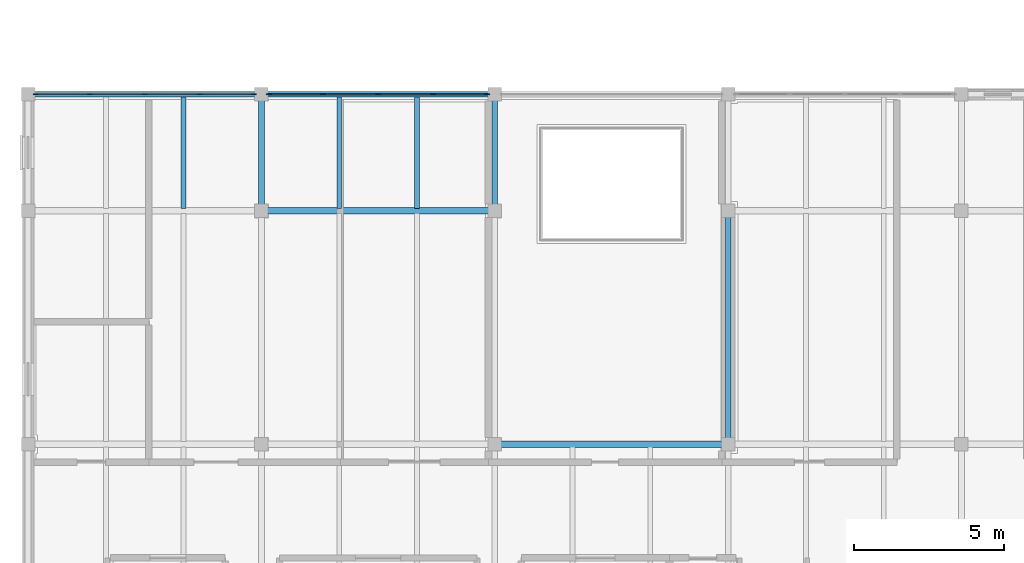
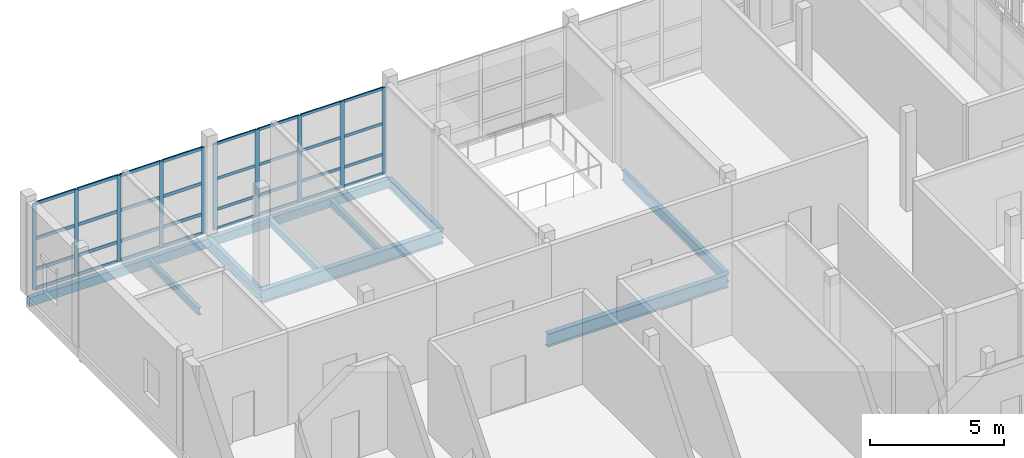
# One storey, part 28 of 119: 42 members, 10 beams, 2 elements without a shape of their own.
"""IFC4 building model written with IfcOpenShell, lengths in metres."""

from ifc_helpers import new_model, si_unit, direction, frame, origin, origin_2d, place, context, subcontext, project, spatial, rectangle, hollow_rectangle, i_section, extrude, material, layer, layer_set, material_profile, profile_set, type_object, element, aggregate, save


model = new_model("IFC4")

# Units and contexts
model_context = context("Model", 3, precision=1e-05, world=origin(), true_north=direction((0.0, 1.0)))
body_context = subcontext(model_context, "Body", "Model", "MODEL_VIEW")
ifc_project = project(units=[si_unit("LENGTHUNIT", "METRE"), si_unit("AREAUNIT", "SQUARE_METRE"), si_unit("VOLUMEUNIT", "CUBIC_METRE"), si_unit("PLANEANGLEUNIT", "RADIAN"), si_unit("MASSUNIT", "GRAM", prefix="KILO")], contexts=[model_context])

# Site, building, storey
site_placement = place(None, origin())
site = spatial("IfcSite", under=ifc_project, at=site_placement, CompositionType="ELEMENT")
building_placement = place(site_placement, origin())
building = spatial("IfcBuilding", under=site, at=building_placement, Name="Celorna Specialist Clinic", CompositionType="ELEMENT")
storey_placement = place(building_placement, frame((0.0, 0.0, 9.60009765625)))
storey = spatial("IfcBuildingStorey", under=building, at=storey_placement, Name="L02", CompositionType="ELEMENT", Elevation=9.60009765625)

# Beams
ifc_material_1 = material(Name="Steel S355", Category="steel")
ifc_material_profile_1 = material_profile(ifc_material_1, i_section(OverallWidth=0.219970703125, OverallDepth=0.60009765625, WebThickness=0.011962890625, FlangeThickness=0.01904296875, at=origin_2d()), Name="IPE 600")
ifc_profile_set_1 = profile_set([ifc_material_profile_1], Name="Steel S355")
beam_type_1 = type_object("IfcBeamType", Name="BM-06", PredefinedType="BEAM", material=ifc_profile_set_1)
beam_1_placement = place(storey_placement, frame((15.60009765625, 50.699951171875, -0.56005859375), z_axis=(1.0, 0.0, 0.0), x_axis=(0.0, 1.0, 0.0)))
element("IfcBeam", 1, at=beam_1_placement, inside=storey, type_object=beam_type_1, Name="Primary girder BM-06 #466", PredefinedType="BEAM", context=body_context, shape_type="SweptSolid", body=[
    extrude(i_section(OverallWidth=0.219970703125, OverallDepth=0.60009765625, WebThickness=0.011962890625, FlangeThickness=0.01904296875, at=origin_2d()), origin(), (0.0, 0.0, 1.0), 7.7998046875),
])
beam_2_placement = place(storey_placement, frame((7.800048828125, 58.5, -0.56005859375), z_axis=(1.0, 0.0, 0.0), x_axis=(0.0, 1.0, 0.0)))
element("IfcBeam", 2, at=beam_2_placement, inside=storey, type_object=beam_type_1, Name="Primary girder BM-06 #470", PredefinedType="BEAM", context=body_context, shape_type="SweptSolid", body=[
    extrude(i_section(OverallWidth=0.219970703125, OverallDepth=0.60009765625, WebThickness=0.011962890625, FlangeThickness=0.01904296875, at=origin_2d()), origin(), (0.0, 0.0, 1.0), 7.800048828125),
])
ifc_material_profile_2 = material_profile(ifc_material_1, i_section(OverallWidth=0.18994140625, OverallDepth=0.449951171875, WebThickness=0.009521484375, FlangeThickness=0.0146484375, at=origin_2d()), Name="IPE 450")
ifc_profile_set_2 = profile_set([ifc_material_profile_2], Name="Steel S355")
beam_type_2 = type_object("IfcBeamType", Name="BM-09", PredefinedType="BEAM", material=ifc_profile_set_2)
for number, where, z_axis, x_axis, name in (
    (3, (7.800048828125, 58.5, -0.485107421875), (0.0, 1.0, 0.0), (-1.0, 0.0, 0.0), "Transverse girder BM-09 #485"),
    (4, (15.60009765625, 58.5, -0.485107421875), (0.0, 1.0, 0.0), (-1.0, 0.0, 0.0), "Transverse girder BM-09 #489"),
):
    element("IfcBeam", number, at=place(storey_placement, frame(where, z_axis=z_axis, x_axis=x_axis)), inside=storey, type_object=beam_type_2, Name=name, PredefinedType="BEAM", context=body_context, shape_type="SweptSolid", body=[
        extrude(i_section(OverallWidth=0.18994140625, OverallDepth=0.449951171875, WebThickness=0.009521484375, FlangeThickness=0.0146484375, at=origin_2d()), origin(), (0.0, 0.0, 1.0), 3.89990234375),
    ])
beam_3_placement = place(storey_placement, frame((23.39990234375, 50.699951171875, -0.485107421875), z_axis=(0.0, 1.0, 0.0), x_axis=(-1.0, 0.0, 0.0)))
element("IfcBeam", 5, at=beam_3_placement, inside=storey, type_object=beam_type_2, Name="Transverse girder BM-09 #492", PredefinedType="BEAM", context=body_context, shape_type="SweptSolid", body=[
    extrude(i_section(OverallWidth=0.18994140625, OverallDepth=0.449951171875, WebThickness=0.009521484375, FlangeThickness=0.0146484375, at=origin_2d()), origin(), (0.0, 0.0, 1.0), 7.800048828125),
])
ifc_material_profile_3 = material_profile(ifc_material_1, i_section(OverallWidth=0.159912109375, OverallDepth=0.330078125, WebThickness=0.007568359375, FlangeThickness=0.011474609375, at=origin_2d()), Name="IPE 330")
ifc_profile_set_3 = profile_set([ifc_material_profile_3], Name="Steel S355")
beam_type_3 = type_object("IfcBeamType", Name="BM-12", PredefinedType="JOIST", material=ifc_profile_set_3)
for number, where, z_axis, x_axis, name in (
    (6, (5.199951171875, 58.587890625, -0.425048828125), (0.0, 1.0, 0.0), (-1.0, 0.0, 0.0), "Secondary floor joist BM-12 #507"),
    (7, (10.39990234375, 58.587890625, -0.425048828125), (0.0, 1.0, 0.0), (-1.0, 0.0, 0.0), "Secondary floor joist BM-12 #514"),
    (8, (13.0, 58.587890625, -0.425048828125), (0.0, 1.0, 0.0), (-1.0, 0.0, 0.0), "Secondary floor joist BM-12 #515"),
):
    element("IfcBeam", number, at=place(storey_placement, frame(where, z_axis=z_axis, x_axis=x_axis)), inside=storey, type_object=beam_type_3, Name=name, PredefinedType="JOIST", context=body_context, shape_type="SweptSolid", body=[
        extrude(i_section(OverallWidth=0.159912109375, OverallDepth=0.330078125, WebThickness=0.007568359375, FlangeThickness=0.011474609375, at=origin_2d()), origin(), (0.0, 0.0, 1.0), 3.72412109375),
    ])
ifc_material_profile_4 = material_profile(ifc_material_1, hollow_rectangle(XDim=0.199951171875, YDim=0.39990234375, WallThickness=0.011962890625, at=origin_2d()), Name="RHS 200x400x12")
ifc_profile_set_4 = profile_set([ifc_material_profile_4], Name="Steel S355")
beam_type_4 = type_object("IfcBeamType", Name="BM-15", PredefinedType="SPANDREL", material=ifc_profile_set_4)
for number, where, z_axis, x_axis, name in (
    (9, (0.0, 62.39990234375, -0.460205078125), (1.0, 0.0, 0.0), (0.0, 1.0, 0.0), "Spandrel beam BM-15 #473"),
    (10, (7.800048828125, 62.39990234375, -0.460205078125), (1.0, 0.0, 0.0), (0.0, 1.0, 0.0), "Spandrel beam BM-15 #474"),
):
    element("IfcBeam", number, at=place(storey_placement, frame(where, z_axis=z_axis, x_axis=x_axis)), inside=storey, type_object=beam_type_4, Name=name, PredefinedType="SPANDREL", context=body_context, shape_type="SweptSolid", body=[
        extrude(hollow_rectangle(XDim=0.199951171875, YDim=0.39990234375, WallThickness=0.011962890625, at=origin_2d()), origin(), (0.0, 0.0, 1.0), 7.800048828125),
    ])

# Curtain wall, members
ifc_material_2 = material(Name="Thermally broken aluminium and solar-control glass curtain wall", Category="aluminium")
ifc_layer_1 = layer(ifc_material_2, 0.159912109375, Name="Thermally broken aluminium and solar-control glass curtain wall")
ifc_layer_set_1 = layer_set([ifc_layer_1], Name="Thermally broken aluminium and solar-control glass curtain wall")
curtain_wall_type_1 = type_object("IfcCurtainWallType", Name="CW-28", PredefinedType="NOTDEFINED", material=ifc_layer_set_1)
curtain_wall_1_placement = place(storey_placement, origin())
curtain_wall_1 = element("IfcCurtainWall", 11, at=curtain_wall_1_placement, inside=storey, type_object=curtain_wall_type_1, Name="Curtain wall CW-28 #57", PredefinedType="NOTDEFINED")
ifc_material_3 = material(Name="Anodized aluminium mullion", Category="aluminium")
ifc_material_profile_5 = material_profile(ifc_material_3, rectangle(XDim=0.050048828125, YDim=0.159912109375, at=origin_2d()), Name="ALU MULLION 50x160")
ifc_profile_set_5 = profile_set([ifc_material_profile_5], Name="Anodized aluminium mullion")
member_type_1 = type_object("IfcMemberType", Name="ML-01", PredefinedType="MULLION", material=ifc_profile_set_5)
member_1_placement = place(storey_placement, frame((0.25390625, 62.39990234375, 0.0), z_axis=(0.0, 0.0, 1.0), x_axis=(0.0, 1.0, 0.0)))
member_1 = element("IfcMember", 12, at=member_1_placement, type_object=member_type_1, Name="CW-28 mullion 1", PredefinedType="MULLION", context=body_context, shape_type="SweptSolid", body=[
    extrude(rectangle(XDim=0.050048828125, YDim=0.159912109375, at=origin_2d()), origin(), (0.0, 0.0, 1.0), 3.9248046875),
])
member_2_placement = place(storey_placement, frame((2.064453125, 62.39990234375, 0.0), z_axis=(0.0, 0.0, 1.0), x_axis=(0.0, 1.0, 0.0)))
member_2 = element("IfcMember", 13, at=member_2_placement, type_object=member_type_1, Name="CW-28 mullion 2", PredefinedType="MULLION", context=body_context, shape_type="SweptSolid", body=[
    extrude(rectangle(XDim=0.050048828125, YDim=0.159912109375, at=origin_2d()), origin(), (0.0, 0.0, 1.0), 3.9248046875),
])
member_3_placement = place(storey_placement, frame((3.89990234375, 62.39990234375, 0.0), z_axis=(0.0, 0.0, 1.0), x_axis=(0.0, 1.0, 0.0)))
member_3 = element("IfcMember", 14, at=member_3_placement, type_object=member_type_1, Name="CW-28 mullion 3", PredefinedType="MULLION", context=body_context, shape_type="SweptSolid", body=[
    extrude(rectangle(XDim=0.050048828125, YDim=0.159912109375, at=origin_2d()), origin(), (0.0, 0.0, 1.0), 3.9248046875),
])
member_4_placement = place(storey_placement, frame((5.735595703125, 62.39990234375, 0.0), z_axis=(0.0, 0.0, 1.0), x_axis=(0.0, 1.0, 0.0)))
member_4 = element("IfcMember", 15, at=member_4_placement, type_object=member_type_1, Name="CW-28 mullion 4", PredefinedType="MULLION", context=body_context, shape_type="SweptSolid", body=[
    extrude(rectangle(XDim=0.050048828125, YDim=0.159912109375, at=origin_2d()), origin(), (0.0, 0.0, 1.0), 3.9248046875),
])
member_5_placement = place(storey_placement, frame((7.5458984375, 62.39990234375, 0.0), z_axis=(0.0, 0.0, 1.0), x_axis=(0.0, 1.0, 0.0)))
member_5 = element("IfcMember", 16, at=member_5_placement, type_object=member_type_1, Name="CW-28 mullion 5", PredefinedType="MULLION", context=body_context, shape_type="SweptSolid", body=[
    extrude(rectangle(XDim=0.050048828125, YDim=0.159912109375, at=origin_2d()), origin(), (0.0, 0.0, 1.0), 3.9248046875),
])

ifc_layer_2 = layer(ifc_material_2, 0.159912109375, Name="Thermally broken aluminium and solar-control glass curtain wall")
ifc_layer_set_2 = layer_set([ifc_layer_2], Name="Thermally broken aluminium and solar-control glass curtain wall")
curtain_wall_type_2 = type_object("IfcCurtainWallType", Name="CW-29", PredefinedType="NOTDEFINED", material=ifc_layer_set_2)
curtain_wall_2_placement = place(storey_placement, origin())
curtain_wall_2 = element("IfcCurtainWall", 17, at=curtain_wall_2_placement, inside=storey, type_object=curtain_wall_type_2, Name="Curtain wall CW-29 #58", PredefinedType="NOTDEFINED")
ifc_material_profile_6 = material_profile(ifc_material_3, rectangle(XDim=0.050048828125, YDim=0.179931640625, at=origin_2d()), Name="ALU MULLION 50x180")
ifc_profile_set_6 = profile_set([ifc_material_profile_6], Name="Anodized aluminium mullion")
member_type_2 = type_object("IfcMemberType", Name="ML-02", PredefinedType="MULLION", material=ifc_profile_set_6)
member_6_placement = place(storey_placement, frame((8.053955078125, 62.39990234375, 0.0), z_axis=(0.0, 0.0, 1.0), x_axis=(0.0, 1.0, 0.0)))
member_6 = element("IfcMember", 18, at=member_6_placement, type_object=member_type_2, Name="CW-29 mullion 1", PredefinedType="MULLION", context=body_context, shape_type="SweptSolid", body=[
    extrude(rectangle(XDim=0.050048828125, YDim=0.179931640625, at=origin_2d()), origin(), (0.0, 0.0, 1.0), 3.9248046875),
])
member_7_placement = place(storey_placement, frame((9.864501953125, 62.39990234375, 0.0), z_axis=(0.0, 0.0, 1.0), x_axis=(0.0, 1.0, 0.0)))
member_7 = element("IfcMember", 19, at=member_7_placement, type_object=member_type_2, Name="CW-29 mullion 2", PredefinedType="MULLION", context=body_context, shape_type="SweptSolid", body=[
    extrude(rectangle(XDim=0.050048828125, YDim=0.179931640625, at=origin_2d()), origin(), (0.0, 0.0, 1.0), 3.9248046875),
])
member_8_placement = place(storey_placement, frame((11.699951171875, 62.39990234375, 0.0), z_axis=(0.0, 0.0, 1.0), x_axis=(0.0, 1.0, 0.0)))
member_8 = element("IfcMember", 20, at=member_8_placement, type_object=member_type_2, Name="CW-29 mullion 3", PredefinedType="MULLION", context=body_context, shape_type="SweptSolid", body=[
    extrude(rectangle(XDim=0.050048828125, YDim=0.179931640625, at=origin_2d()), origin(), (0.0, 0.0, 1.0), 3.9248046875),
])
member_9_placement = place(storey_placement, frame((13.535400390625, 62.39990234375, 0.0), z_axis=(0.0, 0.0, 1.0), x_axis=(0.0, 1.0, 0.0)))
member_9 = element("IfcMember", 21, at=member_9_placement, type_object=member_type_2, Name="CW-29 mullion 4", PredefinedType="MULLION", context=body_context, shape_type="SweptSolid", body=[
    extrude(rectangle(XDim=0.050048828125, YDim=0.179931640625, at=origin_2d()), origin(), (0.0, 0.0, 1.0), 3.9248046875),
])
member_10_placement = place(storey_placement, frame((15.345947265625, 62.39990234375, 0.0), z_axis=(0.0, 0.0, 1.0), x_axis=(0.0, 1.0, 0.0)))
member_10 = element("IfcMember", 22, at=member_10_placement, type_object=member_type_2, Name="CW-29 mullion 5", PredefinedType="MULLION", context=body_context, shape_type="SweptSolid", body=[
    extrude(rectangle(XDim=0.050048828125, YDim=0.179931640625, at=origin_2d()), origin(), (0.0, 0.0, 1.0), 3.9248046875),
])
ifc_material_4 = material(Name="Anodized aluminium transom", Category="aluminium")
ifc_material_profile_7 = material_profile(ifc_material_4, rectangle(XDim=0.050048828125, YDim=0.1298828125, at=origin_2d()), Name="ALU TRANSOM 50x130")
ifc_profile_set_7 = profile_set([ifc_material_profile_7], Name="Anodized aluminium transom")
member_type_3 = type_object("IfcMemberType", Name="TR-01", PredefinedType="USERDEFINED", material=ifc_profile_set_7)
member_11_placement = place(storey_placement, frame((8.0791015625, 62.39990234375, 0.02490234375), z_axis=(1.0, 0.0, 0.0), x_axis=(0.0, 1.0, 0.0)))
member_11 = element("IfcMember", 23, at=member_11_placement, type_object=member_type_3, Name="CW-29 transom 1.1", ObjectType="TRANSOM", PredefinedType="USERDEFINED", context=body_context, shape_type="SweptSolid", body=[
    extrude(rectangle(XDim=0.050048828125, YDim=0.1298828125, at=origin_2d()), origin(), (0.0, 0.0, 1.0), 1.760498046875),
])
member_12_placement = place(storey_placement, frame((8.0791015625, 62.39990234375, 0.89990234375), z_axis=(1.0, 0.0, 0.0), x_axis=(0.0, 1.0, 0.0)))
member_12 = element("IfcMember", 24, at=member_12_placement, type_object=member_type_3, Name="CW-29 transom 1.2", ObjectType="TRANSOM", PredefinedType="USERDEFINED", context=body_context, shape_type="SweptSolid", body=[
    extrude(rectangle(XDim=0.050048828125, YDim=0.1298828125, at=origin_2d()), origin(), (0.0, 0.0, 1.0), 1.760498046875),
])
member_13_placement = place(storey_placement, frame((8.0791015625, 62.39990234375, 2.2998046875), z_axis=(1.0, 0.0, 0.0), x_axis=(0.0, 1.0, 0.0)))
member_13 = element("IfcMember", 25, at=member_13_placement, type_object=member_type_3, Name="CW-29 transom 1.3", ObjectType="TRANSOM", PredefinedType="USERDEFINED", context=body_context, shape_type="SweptSolid", body=[
    extrude(rectangle(XDim=0.050048828125, YDim=0.1298828125, at=origin_2d()), origin(), (0.0, 0.0, 1.0), 1.760498046875),
])
member_14_placement = place(storey_placement, frame((8.0791015625, 62.39990234375, 3.89990234375), z_axis=(1.0, 0.0, 0.0), x_axis=(0.0, 1.0, 0.0)))
member_14 = element("IfcMember", 26, at=member_14_placement, type_object=member_type_3, Name="CW-29 transom 1.4", ObjectType="TRANSOM", PredefinedType="USERDEFINED", context=body_context, shape_type="SweptSolid", body=[
    extrude(rectangle(XDim=0.050048828125, YDim=0.1298828125, at=origin_2d()), origin(), (0.0, 0.0, 1.0), 1.760498046875),
])
member_15_placement = place(storey_placement, frame((9.889404296875, 62.39990234375, 0.02490234375), z_axis=(1.0, 0.0, 0.0), x_axis=(0.0, 1.0, 0.0)))
member_15 = element("IfcMember", 27, at=member_15_placement, type_object=member_type_3, Name="CW-29 transom 2.1", ObjectType="TRANSOM", PredefinedType="USERDEFINED", context=body_context, shape_type="SweptSolid", body=[
    extrude(rectangle(XDim=0.050048828125, YDim=0.1298828125, at=origin_2d()), origin(), (0.0, 0.0, 1.0), 1.78564453125),
])
member_16_placement = place(storey_placement, frame((9.889404296875, 62.39990234375, 0.89990234375), z_axis=(1.0, 0.0, 0.0), x_axis=(0.0, 1.0, 0.0)))
member_16 = element("IfcMember", 28, at=member_16_placement, type_object=member_type_3, Name="CW-29 transom 2.2", ObjectType="TRANSOM", PredefinedType="USERDEFINED", context=body_context, shape_type="SweptSolid", body=[
    extrude(rectangle(XDim=0.050048828125, YDim=0.1298828125, at=origin_2d()), origin(), (0.0, 0.0, 1.0), 1.78564453125),
])
member_17_placement = place(storey_placement, frame((9.889404296875, 62.39990234375, 2.2998046875), z_axis=(1.0, 0.0, 0.0), x_axis=(0.0, 1.0, 0.0)))
member_17 = element("IfcMember", 29, at=member_17_placement, type_object=member_type_3, Name="CW-29 transom 2.3", ObjectType="TRANSOM", PredefinedType="USERDEFINED", context=body_context, shape_type="SweptSolid", body=[
    extrude(rectangle(XDim=0.050048828125, YDim=0.1298828125, at=origin_2d()), origin(), (0.0, 0.0, 1.0), 1.78564453125),
])
member_18_placement = place(storey_placement, frame((9.889404296875, 62.39990234375, 3.89990234375), z_axis=(1.0, 0.0, 0.0), x_axis=(0.0, 1.0, 0.0)))
member_18 = element("IfcMember", 30, at=member_18_placement, type_object=member_type_3, Name="CW-29 transom 2.4", ObjectType="TRANSOM", PredefinedType="USERDEFINED", context=body_context, shape_type="SweptSolid", body=[
    extrude(rectangle(XDim=0.050048828125, YDim=0.1298828125, at=origin_2d()), origin(), (0.0, 0.0, 1.0), 1.78564453125),
])
member_19_placement = place(storey_placement, frame((11.72509765625, 62.39990234375, 0.02490234375), z_axis=(1.0, 0.0, 0.0), x_axis=(0.0, 1.0, 0.0)))
member_19 = element("IfcMember", 31, at=member_19_placement, type_object=member_type_3, Name="CW-29 transom 3.1", ObjectType="TRANSOM", PredefinedType="USERDEFINED", context=body_context, shape_type="SweptSolid", body=[
    extrude(rectangle(XDim=0.050048828125, YDim=0.1298828125, at=origin_2d()), origin(), (0.0, 0.0, 1.0), 1.785400390625),
])
member_20_placement = place(storey_placement, frame((11.72509765625, 62.39990234375, 0.89990234375), z_axis=(1.0, 0.0, 0.0), x_axis=(0.0, 1.0, 0.0)))
member_20 = element("IfcMember", 32, at=member_20_placement, type_object=member_type_3, Name="CW-29 transom 3.2", ObjectType="TRANSOM", PredefinedType="USERDEFINED", context=body_context, shape_type="SweptSolid", body=[
    extrude(rectangle(XDim=0.050048828125, YDim=0.1298828125, at=origin_2d()), origin(), (0.0, 0.0, 1.0), 1.785400390625),
])
member_21_placement = place(storey_placement, frame((11.72509765625, 62.39990234375, 2.2998046875), z_axis=(1.0, 0.0, 0.0), x_axis=(0.0, 1.0, 0.0)))
member_21 = element("IfcMember", 33, at=member_21_placement, type_object=member_type_3, Name="CW-29 transom 3.3", ObjectType="TRANSOM", PredefinedType="USERDEFINED", context=body_context, shape_type="SweptSolid", body=[
    extrude(rectangle(XDim=0.050048828125, YDim=0.1298828125, at=origin_2d()), origin(), (0.0, 0.0, 1.0), 1.785400390625),
])
member_22_placement = place(storey_placement, frame((11.72509765625, 62.39990234375, 3.89990234375), z_axis=(1.0, 0.0, 0.0), x_axis=(0.0, 1.0, 0.0)))
member_22 = element("IfcMember", 34, at=member_22_placement, type_object=member_type_3, Name="CW-29 transom 3.4", ObjectType="TRANSOM", PredefinedType="USERDEFINED", context=body_context, shape_type="SweptSolid", body=[
    extrude(rectangle(XDim=0.050048828125, YDim=0.1298828125, at=origin_2d()), origin(), (0.0, 0.0, 1.0), 1.785400390625),
])
member_23_placement = place(storey_placement, frame((13.560546875, 62.39990234375, 0.02490234375), z_axis=(1.0, 0.0, 0.0), x_axis=(0.0, 1.0, 0.0)))
member_23 = element("IfcMember", 35, at=member_23_placement, type_object=member_type_3, Name="CW-29 transom 4.1", ObjectType="TRANSOM", PredefinedType="USERDEFINED", context=body_context, shape_type="SweptSolid", body=[
    extrude(rectangle(XDim=0.050048828125, YDim=0.1298828125, at=origin_2d()), origin(), (0.0, 0.0, 1.0), 1.760498046875),
])
member_24_placement = place(storey_placement, frame((13.560546875, 62.39990234375, 0.89990234375), z_axis=(1.0, 0.0, 0.0), x_axis=(0.0, 1.0, 0.0)))
member_24 = element("IfcMember", 36, at=member_24_placement, type_object=member_type_3, Name="CW-29 transom 4.2", ObjectType="TRANSOM", PredefinedType="USERDEFINED", context=body_context, shape_type="SweptSolid", body=[
    extrude(rectangle(XDim=0.050048828125, YDim=0.1298828125, at=origin_2d()), origin(), (0.0, 0.0, 1.0), 1.760498046875),
])
member_25_placement = place(storey_placement, frame((13.560546875, 62.39990234375, 2.2998046875), z_axis=(1.0, 0.0, 0.0), x_axis=(0.0, 1.0, 0.0)))
member_25 = element("IfcMember", 37, at=member_25_placement, type_object=member_type_3, Name="CW-29 transom 4.3", ObjectType="TRANSOM", PredefinedType="USERDEFINED", context=body_context, shape_type="SweptSolid", body=[
    extrude(rectangle(XDim=0.050048828125, YDim=0.1298828125, at=origin_2d()), origin(), (0.0, 0.0, 1.0), 1.760498046875),
])
member_26_placement = place(storey_placement, frame((13.560546875, 62.39990234375, 3.89990234375), z_axis=(1.0, 0.0, 0.0), x_axis=(0.0, 1.0, 0.0)))
member_26 = element("IfcMember", 38, at=member_26_placement, type_object=member_type_3, Name="CW-29 transom 4.4", ObjectType="TRANSOM", PredefinedType="USERDEFINED", context=body_context, shape_type="SweptSolid", body=[
    extrude(rectangle(XDim=0.050048828125, YDim=0.1298828125, at=origin_2d()), origin(), (0.0, 0.0, 1.0), 1.760498046875),
])
aggregate(curtain_wall_2, [member_6, member_7, member_8, member_9, member_10, member_11, member_12, member_13, member_14, member_15, member_16, member_17, member_18, member_19, member_20, member_21, member_22, member_23, member_24, member_25, member_26])

# Member
ifc_material_profile_8 = material_profile(ifc_material_4, rectangle(XDim=0.050048828125, YDim=0.14990234375, at=origin_2d()), Name="ALU TRANSOM 50x150")
ifc_profile_set_8 = profile_set([ifc_material_profile_8], Name="Anodized aluminium transom")
member_type_4 = type_object("IfcMemberType", Name="TR-02", PredefinedType="USERDEFINED", material=ifc_profile_set_8)
member_27_placement = place(storey_placement, frame((0.279052734375, 62.39990234375, 0.02490234375), z_axis=(1.0, 0.0, 0.0), x_axis=(0.0, 1.0, 0.0)))
member_27 = element("IfcMember", 39, at=member_27_placement, type_object=member_type_4, Name="CW-28 transom 1.1", ObjectType="TRANSOM", PredefinedType="USERDEFINED", context=body_context, shape_type="SweptSolid", body=[
    extrude(rectangle(XDim=0.050048828125, YDim=0.14990234375, at=origin_2d()), origin(), (0.0, 0.0, 1.0), 1.760498046875),
])

member_28_placement = place(storey_placement, frame((0.279052734375, 62.39990234375, 0.89990234375), z_axis=(1.0, 0.0, 0.0), x_axis=(0.0, 1.0, 0.0)))
member_28 = element("IfcMember", 40, at=member_28_placement, type_object=member_type_4, Name="CW-28 transom 1.2", ObjectType="TRANSOM", PredefinedType="USERDEFINED", context=body_context, shape_type="SweptSolid", body=[
    extrude(rectangle(XDim=0.050048828125, YDim=0.14990234375, at=origin_2d()), origin(), (0.0, 0.0, 1.0), 1.760498046875),
])

member_29_placement = place(storey_placement, frame((0.279052734375, 62.39990234375, 2.2998046875), z_axis=(1.0, 0.0, 0.0), x_axis=(0.0, 1.0, 0.0)))
member_29 = element("IfcMember", 41, at=member_29_placement, type_object=member_type_4, Name="CW-28 transom 1.3", ObjectType="TRANSOM", PredefinedType="USERDEFINED", context=body_context, shape_type="SweptSolid", body=[
    extrude(rectangle(XDim=0.050048828125, YDim=0.14990234375, at=origin_2d()), origin(), (0.0, 0.0, 1.0), 1.760498046875),
])

member_30_placement = place(storey_placement, frame((0.279052734375, 62.39990234375, 3.89990234375), z_axis=(1.0, 0.0, 0.0), x_axis=(0.0, 1.0, 0.0)))
member_30 = element("IfcMember", 42, at=member_30_placement, type_object=member_type_4, Name="CW-28 transom 1.4", ObjectType="TRANSOM", PredefinedType="USERDEFINED", context=body_context, shape_type="SweptSolid", body=[
    extrude(rectangle(XDim=0.050048828125, YDim=0.14990234375, at=origin_2d()), origin(), (0.0, 0.0, 1.0), 1.760498046875),
])

member_31_placement = place(storey_placement, frame((2.089599609375, 62.39990234375, 0.02490234375), z_axis=(1.0, 0.0, 0.0), x_axis=(0.0, 1.0, 0.0)))
member_31 = element("IfcMember", 43, at=member_31_placement, type_object=member_type_4, Name="CW-28 transom 2.1", ObjectType="TRANSOM", PredefinedType="USERDEFINED", context=body_context, shape_type="SweptSolid", body=[
    extrude(rectangle(XDim=0.050048828125, YDim=0.14990234375, at=origin_2d()), origin(), (0.0, 0.0, 1.0), 1.785400390625),
])

member_32_placement = place(storey_placement, frame((2.089599609375, 62.39990234375, 0.89990234375), z_axis=(1.0, 0.0, 0.0), x_axis=(0.0, 1.0, 0.0)))
member_32 = element("IfcMember", 44, at=member_32_placement, type_object=member_type_4, Name="CW-28 transom 2.2", ObjectType="TRANSOM", PredefinedType="USERDEFINED", context=body_context, shape_type="SweptSolid", body=[
    extrude(rectangle(XDim=0.050048828125, YDim=0.14990234375, at=origin_2d()), origin(), (0.0, 0.0, 1.0), 1.785400390625),
])

member_33_placement = place(storey_placement, frame((2.089599609375, 62.39990234375, 2.2998046875), z_axis=(1.0, 0.0, 0.0), x_axis=(0.0, 1.0, 0.0)))
member_33 = element("IfcMember", 45, at=member_33_placement, type_object=member_type_4, Name="CW-28 transom 2.3", ObjectType="TRANSOM", PredefinedType="USERDEFINED", context=body_context, shape_type="SweptSolid", body=[
    extrude(rectangle(XDim=0.050048828125, YDim=0.14990234375, at=origin_2d()), origin(), (0.0, 0.0, 1.0), 1.785400390625),
])

member_34_placement = place(storey_placement, frame((2.089599609375, 62.39990234375, 3.89990234375), z_axis=(1.0, 0.0, 0.0), x_axis=(0.0, 1.0, 0.0)))
member_34 = element("IfcMember", 46, at=member_34_placement, type_object=member_type_4, Name="CW-28 transom 2.4", ObjectType="TRANSOM", PredefinedType="USERDEFINED", context=body_context, shape_type="SweptSolid", body=[
    extrude(rectangle(XDim=0.050048828125, YDim=0.14990234375, at=origin_2d()), origin(), (0.0, 0.0, 1.0), 1.785400390625),
])

member_35_placement = place(storey_placement, frame((3.925048828125, 62.39990234375, 0.02490234375), z_axis=(1.0, 0.0, 0.0), x_axis=(0.0, 1.0, 0.0)))
member_35 = element("IfcMember", 47, at=member_35_placement, type_object=member_type_4, Name="CW-28 transom 3.1", ObjectType="TRANSOM", PredefinedType="USERDEFINED", context=body_context, shape_type="SweptSolid", body=[
    extrude(rectangle(XDim=0.050048828125, YDim=0.14990234375, at=origin_2d()), origin(), (0.0, 0.0, 1.0), 1.785400390625),
])

member_36_placement = place(storey_placement, frame((3.925048828125, 62.39990234375, 0.89990234375), z_axis=(1.0, 0.0, 0.0), x_axis=(0.0, 1.0, 0.0)))
member_36 = element("IfcMember", 48, at=member_36_placement, type_object=member_type_4, Name="CW-28 transom 3.2", ObjectType="TRANSOM", PredefinedType="USERDEFINED", context=body_context, shape_type="SweptSolid", body=[
    extrude(rectangle(XDim=0.050048828125, YDim=0.14990234375, at=origin_2d()), origin(), (0.0, 0.0, 1.0), 1.785400390625),
])

member_37_placement = place(storey_placement, frame((3.925048828125, 62.39990234375, 2.2998046875), z_axis=(1.0, 0.0, 0.0), x_axis=(0.0, 1.0, 0.0)))
member_37 = element("IfcMember", 49, at=member_37_placement, type_object=member_type_4, Name="CW-28 transom 3.3", ObjectType="TRANSOM", PredefinedType="USERDEFINED", context=body_context, shape_type="SweptSolid", body=[
    extrude(rectangle(XDim=0.050048828125, YDim=0.14990234375, at=origin_2d()), origin(), (0.0, 0.0, 1.0), 1.785400390625),
])

member_38_placement = place(storey_placement, frame((3.925048828125, 62.39990234375, 3.89990234375), z_axis=(1.0, 0.0, 0.0), x_axis=(0.0, 1.0, 0.0)))
member_38 = element("IfcMember", 50, at=member_38_placement, type_object=member_type_4, Name="CW-28 transom 3.4", ObjectType="TRANSOM", PredefinedType="USERDEFINED", context=body_context, shape_type="SweptSolid", body=[
    extrude(rectangle(XDim=0.050048828125, YDim=0.14990234375, at=origin_2d()), origin(), (0.0, 0.0, 1.0), 1.785400390625),
])

member_39_placement = place(storey_placement, frame((5.760498046875, 62.39990234375, 0.02490234375), z_axis=(1.0, 0.0, 0.0), x_axis=(0.0, 1.0, 0.0)))
member_39 = element("IfcMember", 51, at=member_39_placement, type_object=member_type_4, Name="CW-28 transom 4.1", ObjectType="TRANSOM", PredefinedType="USERDEFINED", context=body_context, shape_type="SweptSolid", body=[
    extrude(rectangle(XDim=0.050048828125, YDim=0.14990234375, at=origin_2d()), origin(), (0.0, 0.0, 1.0), 1.760498046875),
])

member_40_placement = place(storey_placement, frame((5.760498046875, 62.39990234375, 0.89990234375), z_axis=(1.0, 0.0, 0.0), x_axis=(0.0, 1.0, 0.0)))
member_40 = element("IfcMember", 52, at=member_40_placement, type_object=member_type_4, Name="CW-28 transom 4.2", ObjectType="TRANSOM", PredefinedType="USERDEFINED", context=body_context, shape_type="SweptSolid", body=[
    extrude(rectangle(XDim=0.050048828125, YDim=0.14990234375, at=origin_2d()), origin(), (0.0, 0.0, 1.0), 1.760498046875),
])

member_41_placement = place(storey_placement, frame((5.760498046875, 62.39990234375, 2.2998046875), z_axis=(1.0, 0.0, 0.0), x_axis=(0.0, 1.0, 0.0)))
member_41 = element("IfcMember", 53, at=member_41_placement, type_object=member_type_4, Name="CW-28 transom 4.3", ObjectType="TRANSOM", PredefinedType="USERDEFINED", context=body_context, shape_type="SweptSolid", body=[
    extrude(rectangle(XDim=0.050048828125, YDim=0.14990234375, at=origin_2d()), origin(), (0.0, 0.0, 1.0), 1.760498046875),
])

member_42_placement = place(storey_placement, frame((5.760498046875, 62.39990234375, 3.89990234375), z_axis=(1.0, 0.0, 0.0), x_axis=(0.0, 1.0, 0.0)))
member_42 = element("IfcMember", 54, at=member_42_placement, type_object=member_type_4, Name="CW-28 transom 4.4", ObjectType="TRANSOM", PredefinedType="USERDEFINED", context=body_context, shape_type="SweptSolid", body=[
    extrude(rectangle(XDim=0.050048828125, YDim=0.14990234375, at=origin_2d()), origin(), (0.0, 0.0, 1.0), 1.760498046875),
])

aggregate(curtain_wall_1, [member_1, member_2, member_3, member_4, member_5, member_27, member_28, member_29, member_30, member_31, member_32, member_33, member_34, member_35, member_36, member_37, member_38, member_39, member_40, member_41, member_42])

save(model, "model.ifc")
